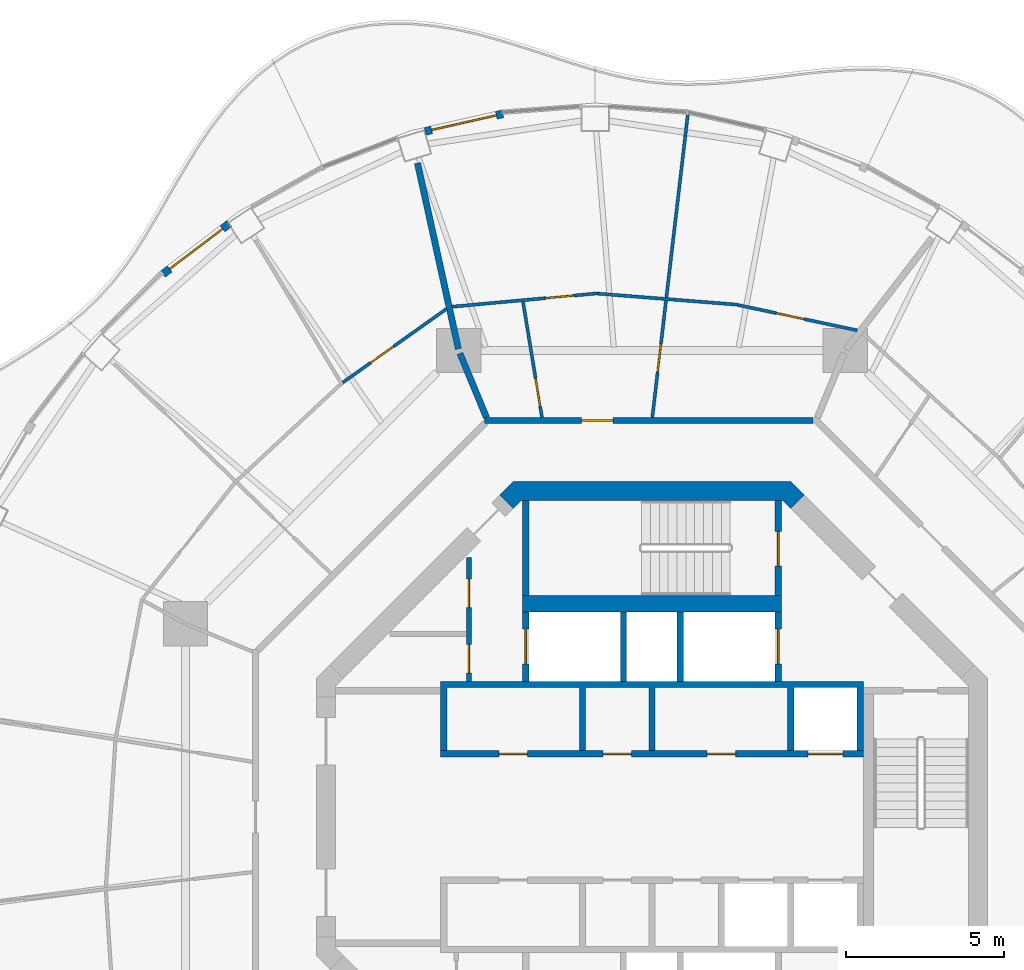
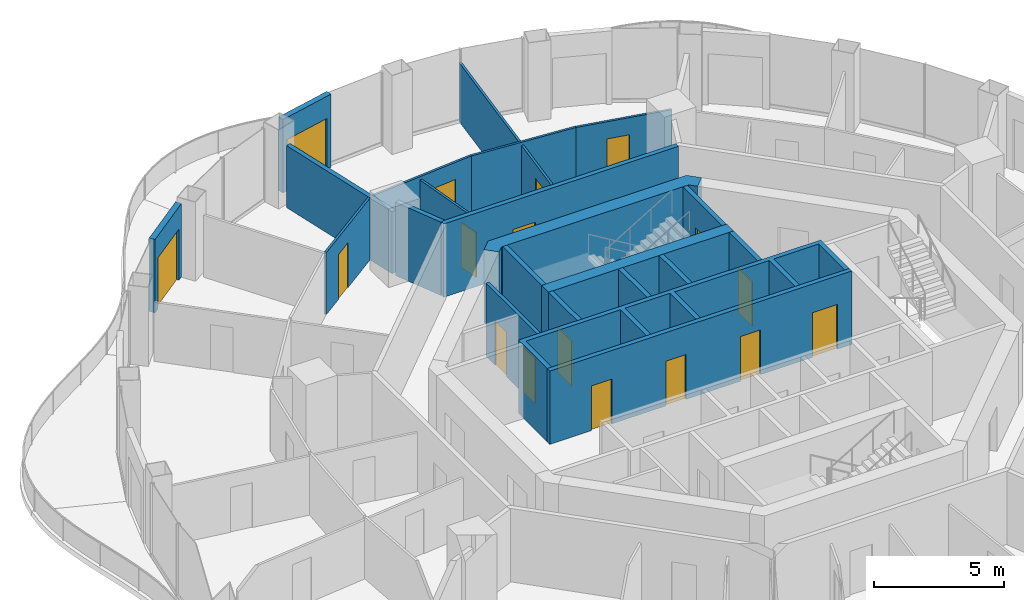
# One storey, part 13 of 18: 22 walls, 17 doors, 17 openings.
"""IFC4 building model written with IfcOpenShell, lengths in metres."""

from ifc_helpers import new_model, si_unit, direction, frame, frame_2d, origin, place, context, subcontext, project, spatial, polyline, rectangle, outline, extrude, material, layer, layer_set, type_object, element, fill, save


model = new_model("IFC4")

# Units and contexts
model_context = context("Model", 3, precision=1e-05, world=origin(), true_north=direction((0.0, 1.0)))
body_context = subcontext(model_context, "Body", "Model", "MODEL_VIEW")
ifc_project = project(units=[si_unit("LENGTHUNIT", "METRE"), si_unit("AREAUNIT", "SQUARE_METRE"), si_unit("VOLUMEUNIT", "CUBIC_METRE"), si_unit("PLANEANGLEUNIT", "RADIAN"), si_unit("MASSUNIT", "GRAM", prefix="KILO")], contexts=[model_context])

# Site, building, storey
site_placement = place(None, origin())
site = spatial("IfcSite", under=ifc_project, at=site_placement, CompositionType="ELEMENT")
building_placement = place(site_placement, origin())
building = spatial("IfcBuilding", under=site, at=building_placement, Name="Nagisa Residences", CompositionType="ELEMENT")
storey_placement = place(building_placement, frame((0.0, 0.0, 284.39990234375)))
storey = spatial("IfcBuildingStorey", under=building, at=storey_placement, Name="L72", CompositionType="ELEMENT", Elevation=284.39990234375)

# Walls
ifc_material_1 = material(Name="Gypsum board on steel studs", Category="steel")
ifc_layer_1 = layer(ifc_material_1, 0.199951171875)
ifc_layer_set_1 = layer_set([ifc_layer_1], Name="Apartment compartment wall EI60 200")
wall_type_1 = type_object("IfcWallType", Name="Apartment compartment wall EI60 200", PredefinedType="PARTITIONING", material=ifc_layer_set_1)
wall_1_placement = place(storey_placement, frame((-5.24267578125, 12.6572265625, 0.0), z_axis=(0.0, 0.0, 1.0), x_axis=(-0.38273085373, 0.923859888513, 0.0)))
element("IfcWall", 1, at=wall_1_placement, inside=storey, type_object=wall_type_1, Name="wall:L72:u04", PredefinedType="PARTITIONING", context=body_context, shape_type="SweptSolid", body=[
    extrude(rectangle(XDim=2.199462890625, YDim=0.199951171875, at=frame_2d((1.099609375, 0.0))), origin(), (0.0, 0.0, 1.0), 3.440185546875),
])
wall_2_placement = place(storey_placement, frame((-6.133544921875, 14.830810546875, 0.0), z_axis=(0.0, 0.0, 1.0), x_axis=(-0.214842475666, 0.976648714047, 0.0)))
element("IfcWall", 2, at=wall_2_placement, inside=storey, type_object=wall_type_1, Name="wall:L72:u05", PredefinedType="PARTITIONING", context=body_context, shape_type="SweptSolid", body=[
    extrude(rectangle(XDim=6.03076171875, YDim=0.199951171875, at=frame_2d((3.015380859375, 0.0))), origin(), (0.0, 0.0, 1.0), 2.905029296875),
])

# Wall, opening, door
ifc_material_2 = material(Name="Gypsum board on steel studs", Category="steel")
ifc_layer_2 = layer(ifc_material_2, 0.199951171875)
ifc_layer_set_2 = layer_set([ifc_layer_2], Name="Apartment entry wall EI60 200")
wall_type_2 = type_object("IfcWallType", Name="Apartment entry wall EI60 200", PredefinedType="PARTITIONING", material=ifc_layer_set_2)
wall_3_placement = place(storey_placement, frame((5.1044921875, 12.564697265625, 0.0), z_axis=(0.0, 0.0, 1.0), x_axis=(-1.0, 0.0, 0.0)))
wall_3 = element("IfcWall", 3, at=wall_3_placement, inside=storey, type_object=wall_type_2, Name="wall:L72:u16", PredefinedType="PARTITIONING", context=body_context, shape_type="SweptSolid", body=[
    extrude(rectangle(XDim=10.408935546875, YDim=0.199951171875, at=frame_2d((5.20458984375, 0.0))), origin(), (0.0, 0.0, 1.0), 3.440185546875),
])
opening_1_placement = place(wall_3_placement, frame((6.33935546875, 0.0, 0.0)))
opening_1 = element("IfcOpeningElement", 4, at=opening_1_placement, cuts=wall_3, Name="Opening L72-U30", PredefinedType="OPENING", context=body_context, shape_type="SweptSolid", body=[
    extrude(rectangle(XDim=1.0, YDim=2.10009765625, at=frame_2d((0.5, 1.050048828125))), frame((0.0, 0.10986328125, 0.0), z_axis=(0.0, -1.0, 0.0), x_axis=(1.0, 0.0, 0.0)), (0.0, 0.0, 1.0), 0.219970703125),
])
ifc_material_3 = material(Name="Timber fire door set", Category="wood")
door_type_1 = type_object("IfcDoorType", Name="Apartment entry door FD30S 1000x2100", OperationType="NOTDEFINED", PredefinedType="DOOR", material=ifc_material_3)
door_1_placement = place(opening_1_placement, frame((1.0, 0.0, 0.0), x_axis=(-1.0, 0.0, 0.0)))
door_1 = element("IfcDoor", 5, at=door_1_placement, inside=storey, type_object=door_type_1, Name="Entry door, Apartment 72F", OperationType="SINGLE_SWING_LEFT", OverallHeight=2.10009765625, OverallWidth=1.0, PredefinedType="DOOR", context=body_context, shape_type="SweptSolid", body=[
    extrude(rectangle(XDim=1.0, YDim=2.10009765625, at=frame_2d((0.5, 1.050048828125))), frame((0.0, 0.02490234375, 0.0), z_axis=(0.0, -1.0, 0.0), x_axis=(1.0, 0.0, 0.0)), (0.0, 0.0, 1.0), 0.050048828125),
])
fill(opening_1, door_1)

ifc_material_4 = material(Name="Gypsum board on steel studs", Category="steel")
ifc_layer_3 = layer(ifc_material_4, 0.10009765625)
ifc_layer_set_3 = layer_set([ifc_layer_3], Name="Apartment partition 100")
wall_type_3 = type_object("IfcWallType", Name="Apartment partition 100", PredefinedType="PARTITIONING", material=ifc_layer_set_3)
wall_4_placement = place(storey_placement, frame((6.50048828125, 15.41943359375, 0.0), z_axis=(0.0, 0.0, 1.0), x_axis=(-0.978053492557, 0.208353943321, 0.0)))
wall_4 = element("IfcWall", 6, at=wall_4_placement, inside=storey, type_object=wall_type_3, Name="wall:L72:u33", PredefinedType="PARTITIONING", context=body_context, shape_type="SweptSolid", body=[
    extrude(rectangle(XDim=3.873779296875, YDim=0.10009765625, at=frame_2d((1.93701171875, 0.0))), origin(), (0.0, 0.0, 1.0), 2.905029296875),
])
opening_2_placement = place(wall_4_placement, frame((1.71435546875, 0.0, 0.0)))
opening_2 = element("IfcOpeningElement", 7, at=opening_2_placement, cuts=wall_4, Name="Opening L72-U33", PredefinedType="OPENING", context=body_context, shape_type="SweptSolid", body=[
    extrude(rectangle(XDim=0.89990234375, YDim=2.10009765625, at=frame_2d((0.449951171875, 1.050048828125))), frame((0.0, 0.06005859375, 0.0), z_axis=(0.0, -1.0, 0.0), x_axis=(1.0, 0.0, 0.0)), (0.0, 0.0, 1.0), 0.1201171875),
])
ifc_material_5 = material(Name="Timber door set", Category="wood")
door_type_2 = type_object("IfcDoorType", Name="Apartment door 900x2100", OperationType="NOTDEFINED", PredefinedType="DOOR", material=ifc_material_5)
door_2_placement = place(opening_2_placement, frame((0.89990234375, 0.0, 0.0), x_axis=(-1.0, 0.0, 0.0)))
door_2 = element("IfcDoor", 8, at=door_2_placement, inside=storey, type_object=door_type_2, Name="Door to kitchen, Apartment 72F", OperationType="SINGLE_SWING_RIGHT", OverallHeight=2.10009765625, OverallWidth=0.89990234375, PredefinedType="DOOR", context=body_context, shape_type="SweptSolid", body=[
    extrude(rectangle(XDim=0.89990234375, YDim=2.10009765625, at=frame_2d((0.449951171875, 1.050048828125))), frame((0.0, 0.02490234375, 0.0), z_axis=(0.0, -1.0, 0.0), x_axis=(1.0, 0.0, 0.0)), (0.0, 0.0, 1.0), 0.050048828125),
])
fill(opening_2, door_2)

# Wall
wall_5_placement = place(storey_placement, frame((2.712646484375, 16.23291015625, 0.0), z_axis=(0.0, 0.0, 1.0), x_axis=(-0.996870142942, 0.079056423588, 0.0)))
element("IfcWall", 9, at=wall_5_placement, inside=storey, type_object=wall_type_3, Name="wall:L72:u34", PredefinedType="PARTITIONING", context=body_context, shape_type="SweptSolid", body=[
    extrude(rectangle(XDim=4.437744140625, YDim=0.10009765625, at=frame_2d((2.21875, 0.0))), origin(), (0.0, 0.0, 1.0), 2.905029296875),
])

# Wall, opening, door
wall_6_placement = place(storey_placement, frame((0.01171875, 12.6640625, 0.0), z_axis=(0.0, 0.0, 1.0), x_axis=(0.11636251357, 0.993206808996, 0.0)))
wall_6 = element("IfcWall", 10, at=wall_6_placement, inside=storey, type_object=wall_type_3, Name="wall:L72:u35", PredefinedType="PARTITIONING", context=body_context, shape_type="SweptSolid", body=[
    extrude(rectangle(XDim=9.7646484375, YDim=0.10009765625, at=frame_2d((4.88232421875, 0.0))), origin(), (0.0, 0.0, 1.0), 2.76220703125),
])
opening_3_placement = place(wall_6_placement, frame((1.43701171875, 0.0, 0.0)))
opening_3 = element("IfcOpeningElement", 11, at=opening_3_placement, cuts=wall_6, Name="Opening L72-U31", PredefinedType="OPENING", context=body_context, shape_type="SweptSolid", body=[
    extrude(rectangle(XDim=0.89990234375, YDim=2.10009765625, at=frame_2d((0.449951171875, 1.050048828125))), frame((0.0, 0.06005859375, 0.0), z_axis=(0.0, -1.0, 0.0), x_axis=(1.0, 0.0, 0.0)), (0.0, 0.0, 1.0), 0.1201171875),
])
door_3_placement = place(opening_3_placement, frame((0.89990234375, 0.0, 0.0), x_axis=(-1.0, 0.0, 0.0)))
door_3 = element("IfcDoor", 12, at=door_3_placement, inside=storey, type_object=door_type_2, Name="Door to store, Apartment 72F", OperationType="SINGLE_SWING_RIGHT", OverallHeight=2.10009765625, OverallWidth=0.89990234375, PredefinedType="DOOR", context=body_context, shape_type="SweptSolid", body=[
    extrude(rectangle(XDim=0.89990234375, YDim=2.10009765625, at=frame_2d((0.449951171875, 1.050048828125))), frame((0.0, 0.02490234375, 0.0), z_axis=(0.0, -1.0, 0.0), x_axis=(1.0, 0.0, 0.0)), (0.0, 0.0, 1.0), 0.050048828125),
])
fill(opening_3, door_3)

wall_7_placement = place(storey_placement, frame((-1.711181640625, 16.59228515625, 0.0), z_axis=(0.0, 0.0, 1.0), x_axis=(-0.995843837247, -0.091077175065, 0.0)))
wall_7 = element("IfcWall", 13, at=wall_7_placement, inside=storey, type_object=wall_type_3, Name="wall:L72:u36", PredefinedType="PARTITIONING", context=body_context, shape_type="SweptSolid", body=[
    extrude(rectangle(XDim=4.634765625, YDim=0.10009765625, at=frame_2d((2.3173828125, 0.0))), origin(), (0.0, 0.0, 1.0), 2.905029296875),
])
opening_4_placement = place(wall_7_placement, frame((0.771240234375, 0.0, 0.0)))
opening_4 = element("IfcOpeningElement", 14, at=opening_4_placement, cuts=wall_7, Name="Opening L72-U34", PredefinedType="OPENING", context=body_context, shape_type="SweptSolid", body=[
    extrude(rectangle(XDim=0.89990234375, YDim=2.10009765625, at=frame_2d((0.449951171875, 1.050048828125))), frame((0.0, 0.06005859375, 0.0), z_axis=(0.0, -1.0, 0.0), x_axis=(1.0, 0.0, 0.0)), (0.0, 0.0, 1.0), 0.1201171875),
])
door_4_placement = place(opening_4_placement, frame((0.89990234375, 0.0, 0.0), x_axis=(-1.0, 0.0, 0.0)))
door_4 = element("IfcDoor", 15, at=door_4_placement, inside=storey, type_object=door_type_2, Name="Door to master bedroom, Apartment 72F", OperationType="SINGLE_SWING_LEFT", OverallHeight=2.10009765625, OverallWidth=0.89990234375, PredefinedType="DOOR", context=body_context, shape_type="SweptSolid", body=[
    extrude(rectangle(XDim=0.89990234375, YDim=2.10009765625, at=frame_2d((0.449951171875, 1.050048828125))), frame((0.0, 0.02490234375, 0.0), z_axis=(0.0, -1.0, 0.0), x_axis=(1.0, 0.0, 0.0)), (0.0, 0.0, 1.0), 0.050048828125),
])
fill(opening_4, door_4)

wall_8_placement = place(storey_placement, frame((-3.48583984375, 12.663330078125, 0.0), z_axis=(0.0, 0.0, 1.0), x_axis=(-0.161602751674, 0.986855891532, 0.0)))
wall_8 = element("IfcWall", 16, at=wall_8_placement, inside=storey, type_object=wall_type_3, Name="wall:L72:u37", PredefinedType="PARTITIONING", context=body_context, shape_type="SweptSolid", body=[
    extrude(rectangle(XDim=3.71044921875, YDim=0.10009765625, at=frame_2d((1.855224609375, 0.0))), origin(), (0.0, 0.0, 1.0), 2.76220703125),
])
opening_5_placement = place(wall_8_placement, frame((0.35009765625, 0.0, 0.0)))
opening_5 = element("IfcOpeningElement", 17, at=opening_5_placement, cuts=wall_8, Name="Opening L72-U32", PredefinedType="OPENING", context=body_context, shape_type="SweptSolid", body=[
    extrude(rectangle(XDim=0.89990234375, YDim=2.10009765625, at=frame_2d((0.449951171875, 1.050048828125))), frame((0.0, 0.06005859375, 0.0), z_axis=(0.0, -1.0, 0.0), x_axis=(1.0, 0.0, 0.0)), (0.0, 0.0, 1.0), 0.1201171875),
])
door_5_placement = place(opening_5_placement, origin())
door_5 = element("IfcDoor", 18, at=door_5_placement, inside=storey, type_object=door_type_2, Name="Door to family bathroom, Apartment 72F", OperationType="SINGLE_SWING_RIGHT", OverallHeight=2.10009765625, OverallWidth=0.89990234375, PredefinedType="DOOR", context=body_context, shape_type="SweptSolid", body=[
    extrude(rectangle(XDim=0.89990234375, YDim=2.10009765625, at=frame_2d((0.449951171875, 1.050048828125))), frame((0.0, 0.02490234375, 0.0), z_axis=(0.0, -1.0, 0.0), x_axis=(1.0, 0.0, 0.0)), (0.0, 0.0, 1.0), 0.050048828125),
])
fill(opening_5, door_5)

wall_9_placement = place(storey_placement, frame((-6.5078125, 16.10302734375, 0.0), z_axis=(0.0, 0.0, 1.0), x_axis=(-0.815202203556, -0.579176456114, 0.0)))
wall_9 = element("IfcWall", 19, at=wall_9_placement, inside=storey, type_object=wall_type_3, Name="wall:L72:u38", PredefinedType="PARTITIONING", context=body_context, shape_type="SweptSolid", body=[
    extrude(rectangle(XDim=4.0361328125, YDim=0.10009765625, at=frame_2d((2.01806640625, 0.0))), origin(), (0.0, 0.0, 1.0), 2.905029296875),
])
opening_6_placement = place(wall_9_placement, frame((2.055419921875, 0.0, 0.0)))
opening_6 = element("IfcOpeningElement", 20, at=opening_6_placement, cuts=wall_9, Name="Opening L72-U44", PredefinedType="OPENING", context=body_context, shape_type="SweptSolid", body=[
    extrude(rectangle(XDim=0.89990234375, YDim=2.10009765625, at=frame_2d((0.449951171875, 1.050048828125))), frame((0.0, 0.06005859375, 0.0), z_axis=(0.0, -1.0, 0.0), x_axis=(1.0, 0.0, 0.0)), (0.0, 0.0, 1.0), 0.1201171875),
])
door_6_placement = place(opening_6_placement, frame((0.89990234375, 0.0, 0.0), x_axis=(-1.0, 0.0, 0.0)))
door_6 = element("IfcDoor", 21, at=door_6_placement, inside=storey, type_object=door_type_2, Name="Door to kitchen, Apartment 72G", OperationType="SINGLE_SWING_LEFT", OverallHeight=2.10009765625, OverallWidth=0.89990234375, PredefinedType="DOOR", context=body_context, shape_type="SweptSolid", body=[
    extrude(rectangle(XDim=0.89990234375, YDim=2.10009765625, at=frame_2d((0.449951171875, 1.050048828125))), frame((0.0, 0.02490234375, 0.0), z_axis=(0.0, -1.0, 0.0), x_axis=(1.0, 0.0, 0.0)), (0.0, 0.0, 1.0), 0.050048828125),
])
fill(opening_6, door_6)

ifc_material_6 = material(Name="Precast concrete C40/50", Category="concrete")
ifc_layer_4 = layer(ifc_material_6, 0.25)
ifc_layer_set_4 = layer_set([ifc_layer_4], Name="BALCONY DOOR WALL 250")
wall_type_4 = type_object("IfcWallType", Name="BALCONY DOOR WALL 250", PredefinedType="SOLIDWALL", material=ifc_layer_set_4)
wall_10_placement = place(storey_placement, frame((-7.18798828125, 21.72265625, 0.0), z_axis=(0.0, 0.0, 1.0), x_axis=(0.975319584032, 0.220797891756, 0.0)))
wall_10 = element("IfcWall", 22, at=wall_10_placement, inside=storey, type_object=wall_type_4, Name="wall:L72:bay13", PredefinedType="SOLIDWALL", context=body_context, shape_type="SweptSolid", body=[
    extrude(rectangle(XDim=2.525390625, YDim=0.25, at=frame_2d((1.2626953125, 0.0))), origin(), (0.0, 0.0, 1.0), 3.440185546875),
])
opening_7_placement = place(wall_10_placement, frame((0.212646484375, 0.0, 0.0)))
opening_7 = element("IfcOpeningElement", 23, at=opening_7_placement, cuts=wall_10, Name="Opening BD-L72-05", PredefinedType="OPENING", context=body_context, shape_type="SweptSolid", body=[
    extrude(rectangle(XDim=2.10009765625, YDim=2.39990234375, at=frame_2d((1.050048828125, 1.199951171875))), frame((0.0, 0.135009765625, 0.0), z_axis=(0.0, -1.0, 0.0), x_axis=(1.0, 0.0, 0.0)), (0.0, 0.0, 1.0), 0.27001953125),
])
ifc_material_7 = material(Name="Aluminium and clear glass", Category="aluminium")
door_type_3 = type_object("IfcDoorType", Name="BALCONY SLIDING DOOR 2100x2400", OperationType="SLIDING_TO_LEFT", PredefinedType="DOOR", material=ifc_material_7)
door_7_placement = place(opening_7_placement, origin())
door_7 = element("IfcDoor", 24, at=door_7_placement, inside=storey, type_object=door_type_3, Name="door:L72:bay13", OperationType="SLIDING_TO_LEFT", OverallHeight=2.39990234375, OverallWidth=2.10009765625, PredefinedType="DOOR", context=body_context, shape_type="SweptSolid", body=[
    extrude(rectangle(XDim=2.10009765625, YDim=2.39990234375, at=frame_2d((1.050048828125, 1.199951171875))), frame((0.0, 0.02490234375, 0.0), z_axis=(0.0, -1.0, 0.0), x_axis=(1.0, 0.0, 0.0)), (0.0, 0.0, 1.0), 0.050048828125),
])
fill(opening_7, door_7)

wall_11_placement = place(storey_placement, frame((-15.49462890625, 17.20361328125, 0.0), z_axis=(0.0, 0.0, 1.0), x_axis=(0.796010739377, 0.605282498339, 0.0)))
wall_11 = element("IfcWall", 25, at=wall_11_placement, inside=storey, type_object=wall_type_4, Name="wall:L72:bay16", PredefinedType="SOLIDWALL", context=body_context, shape_type="SweptSolid", body=[
    extrude(rectangle(XDim=2.640625, YDim=0.25, at=frame_2d((1.3203125, 0.0))), origin(), (0.0, 0.0, 1.0), 3.440185546875),
])
opening_8_placement = place(wall_11_placement, frame((0.270263671875, 0.0, 0.0)))
opening_8 = element("IfcOpeningElement", 26, at=opening_8_placement, cuts=wall_11, Name="Opening BD-L72-06", PredefinedType="OPENING", context=body_context, shape_type="SweptSolid", body=[
    extrude(rectangle(XDim=2.10009765625, YDim=2.39990234375, at=frame_2d((1.050048828125, 1.199951171875))), frame((0.0, 0.135009765625, 0.0), z_axis=(0.0, -1.0, 0.0), x_axis=(1.0, 0.0, 0.0)), (0.0, 0.0, 1.0), 0.27001953125),
])
door_8_placement = place(opening_8_placement, origin())
door_8 = element("IfcDoor", 27, at=door_8_placement, inside=storey, type_object=door_type_3, Name="door:L72:bay16", OperationType="SLIDING_TO_LEFT", OverallHeight=2.39990234375, OverallWidth=2.10009765625, PredefinedType="DOOR", context=body_context, shape_type="SweptSolid", body=[
    extrude(rectangle(XDim=2.10009765625, YDim=2.39990234375, at=frame_2d((1.050048828125, 1.199951171875))), frame((0.0, 0.02490234375, 0.0), z_axis=(0.0, -1.0, 0.0), x_axis=(1.0, 0.0, 0.0)), (0.0, 0.0, 1.0), 0.050048828125),
])
fill(opening_8, door_8)

# Wall, openings, doors
ifc_material_8 = material(Name="Gypsum board on steel studs", Category="steel")
ifc_layer_5 = layer(ifc_material_8, 0.14990234375)
ifc_layer_set_5 = layer_set([ifc_layer_5], Name="Core partition 150")
wall_type_5 = type_object("IfcWallType", Name="Core partition 150", PredefinedType="PARTITIONING", material=ifc_layer_set_5)
wall_12_placement = place(storey_placement, frame((-5.800048828125, 4.300048828125, 0.0), z_axis=(0.0, 0.0, 1.0), x_axis=(0.0, 1.0, 0.0)))
wall_12 = element("IfcWall", 28, at=wall_12_placement, inside=storey, type_object=wall_type_5, Name="wall:L72:NWp", PredefinedType="PARTITIONING", context=body_context, shape_type="SweptSolid", body=[
    extrude(rectangle(XDim=3.927001953125, YDim=0.14990234375, at=frame_2d((1.96337890625, 0.0))), origin(), (0.0, 0.0, 1.0), 3.440185546875),
])
opening_9_placement = place(wall_12_placement, frame((0.262451171875, 0.0, 0.0)))
opening_9 = element("IfcOpeningElement", 29, at=opening_9_placement, cuts=wall_12, Name="Opening L72-C10", PredefinedType="OPENING", context=body_context, shape_type="SweptSolid", body=[
    extrude(rectangle(XDim=0.89990234375, YDim=2.10009765625, at=frame_2d((0.449951171875, 1.050048828125))), frame((0.0, 0.0849609375, 0.0), z_axis=(0.0, -1.0, 0.0), x_axis=(1.0, 0.0, 0.0)), (0.0, 0.0, 1.0), 0.169921875),
])
opening_10_placement = place(wall_12_placement, frame((2.33837890625, 0.0, 0.0)))
opening_10 = element("IfcOpeningElement", 30, at=opening_10_placement, cuts=wall_12, Name="Opening L72-C11", PredefinedType="OPENING", context=body_context, shape_type="SweptSolid", body=[
    extrude(rectangle(XDim=0.89990234375, YDim=2.10009765625, at=frame_2d((0.449951171875, 1.050048828125))), frame((0.0, 0.0849609375, 0.0), z_axis=(0.0, -1.0, 0.0), x_axis=(1.0, 0.0, 0.0)), (0.0, 0.0, 1.0), 0.169921875),
])
ifc_material_9 = material(Name="Steel fire door", Category="steel")
door_type_4 = type_object("IfcDoorType", Name="Fire door EI30 900x2100 single swing", OperationType="NOTDEFINED", PredefinedType="DOOR", material=ifc_material_9)
door_9_placement = place(opening_9_placement, origin())
door_9 = element("IfcDoor", 31, at=door_9_placement, inside=storey, type_object=door_type_4, Name="Package room door L72", OperationType="SINGLE_SWING_LEFT", OverallHeight=2.10009765625, OverallWidth=0.89990234375, PredefinedType="DOOR", context=body_context, shape_type="SweptSolid", body=[
    extrude(rectangle(XDim=0.89990234375, YDim=2.10009765625, at=frame_2d((0.449951171875, 1.050048828125))), frame((0.0, 0.02490234375, 0.0), z_axis=(0.0, -1.0, 0.0), x_axis=(1.0, 0.0, 0.0)), (0.0, 0.0, 1.0), 0.050048828125),
])
fill(opening_9, door_9)
door_10_placement = place(opening_10_placement, origin())
door_10 = element("IfcDoor", 32, at=door_10_placement, inside=storey, type_object=door_type_4, Name="Valet store door L72", OperationType="SINGLE_SWING_LEFT", OverallHeight=2.10009765625, OverallWidth=0.89990234375, PredefinedType="DOOR", context=body_context, shape_type="SweptSolid", body=[
    extrude(rectangle(XDim=0.89990234375, YDim=2.10009765625, at=frame_2d((0.449951171875, 1.050048828125))), frame((0.0, 0.02490234375, 0.0), z_axis=(0.0, -1.0, 0.0), x_axis=(1.0, 0.0, 0.0)), (0.0, 0.0, 1.0), 0.050048828125),
])
fill(opening_10, door_10)

# Wall
ifc_material_10 = material(Name="Concrete C60", Category="concrete")
ifc_layer_6 = layer(ifc_material_10, 0.60009765625)
ifc_layer_set_6 = layer_set([ifc_layer_6], Name="Core shear wall 600")
wall_type_6 = type_object("IfcWallType", Name="Core shear wall 600", PredefinedType="SHEAR", material=ifc_layer_set_6)
wall_13_placement = place(storey_placement, origin())
element("IfcWall", 33, at=wall_13_placement, inside=storey, type_object=wall_type_6, Name="wall:L72:core:flat2", PredefinedType="SHEAR", context=body_context, shape_type="SweptSolid", body=[
    extrude(outline(polyline([(-4.15234375, 10.024658203125), (-4.40087890625, 9.776123046875), (-4.8251953125, 10.200439453125), (-4.40087890625, 10.62451171875), (4.40087890625, 10.62451171875), (4.8251953125, 10.200439453125), (4.40087890625, 9.776123046875), (4.15234375, 10.024658203125), (-4.15234375, 10.024658203125)])), origin(), (0.0, 0.0, 1.0), 3.440185546875),
])

# Wall, opening, door
ifc_material_11 = material(Name="Concrete C60", Category="concrete")
ifc_layer_7 = layer(ifc_material_11, 0.199951171875)
ifc_layer_set_7 = layer_set([ifc_layer_7], Name="Lift shaft wall 200")
wall_type_7 = type_object("IfcWallType", Name="Lift shaft wall 200", PredefinedType="SOLIDWALL", material=ifc_layer_set_7)
wall_14_placement = place(storey_placement, frame((4.0, 4.300048828125, 0.0), z_axis=(0.0, 0.0, 1.0), x_axis=(0.0, 1.0, 0.0)))
wall_14 = element("IfcWall", 34, at=wall_14_placement, inside=storey, type_object=wall_type_7, Name="wall:L72:Nb3", PredefinedType="SOLIDWALL", context=body_context, shape_type="SweptSolid", body=[
    extrude(rectangle(XDim=2.199951171875, YDim=0.199951171875, at=frame_2d((1.10009765625, 0.0))), origin(), (0.0, 0.0, 1.0), 3.440185546875),
])
opening_11_placement = place(wall_14_placement, frame((0.550048828125, 0.0, 0.0)))
opening_11 = element("IfcOpeningElement", 35, at=opening_11_placement, cuts=wall_14, Name="Opening L72-C04", PredefinedType="OPENING", context=body_context, shape_type="SweptSolid", body=[
    extrude(rectangle(XDim=1.10009765625, YDim=2.10009765625, at=frame_2d((0.550048828125, 1.050048828125))), frame((0.0, 0.10986328125, 0.0), z_axis=(0.0, -1.0, 0.0), x_axis=(1.0, 0.0, 0.0)), (0.0, 0.0, 1.0), 0.219970703125),
])
ifc_material_12 = material(Name="Stainless steel", Category="steel")
door_type_5 = type_object("IfcDoorType", Name="Lift landing door 1100x2100", OperationType="DOUBLE_DOOR_SLIDING", PredefinedType="DOOR", material=ifc_material_12)
door_11_placement = place(opening_11_placement, origin())
door_11 = element("IfcDoor", 36, at=door_11_placement, inside=storey, type_object=door_type_5, Name="Landing door FL1 L72", OperationType="DOUBLE_DOOR_SLIDING", OverallHeight=2.10009765625, OverallWidth=1.10009765625, PredefinedType="DOOR", context=body_context, shape_type="SweptSolid", body=[
    extrude(rectangle(XDim=1.10009765625, YDim=2.10009765625, at=frame_2d((0.550048828125, 1.050048828125))), frame((0.0, 0.02490234375, 0.0), z_axis=(0.0, -1.0, 0.0), x_axis=(1.0, 0.0, 0.0)), (0.0, 0.0, 1.0), 0.050048828125),
])
fill(opening_11, door_11)

wall_15_placement = place(storey_placement, frame((-4.0, 4.300048828125, 0.0), z_axis=(0.0, 0.0, 1.0), x_axis=(0.0, 1.0, 0.0)))
wall_15 = element("IfcWall", 37, at=wall_15_placement, inside=storey, type_object=wall_type_7, Name="wall:L72:Nb4", PredefinedType="SOLIDWALL", context=body_context, shape_type="SweptSolid", body=[
    extrude(rectangle(XDim=2.199951171875, YDim=0.199951171875, at=frame_2d((1.10009765625, 0.0))), origin(), (0.0, 0.0, 1.0), 3.440185546875),
])
opening_12_placement = place(wall_15_placement, frame((0.550048828125, 0.0, 0.0)))
opening_12 = element("IfcOpeningElement", 38, at=opening_12_placement, cuts=wall_15, Name="Opening L72-C06", PredefinedType="OPENING", context=body_context, shape_type="SweptSolid", body=[
    extrude(rectangle(XDim=1.10009765625, YDim=2.10009765625, at=frame_2d((0.550048828125, 1.050048828125))), frame((0.0, 0.10986328125, 0.0), z_axis=(0.0, -1.0, 0.0), x_axis=(1.0, 0.0, 0.0)), (0.0, 0.0, 1.0), 0.219970703125),
])
door_12_placement = place(opening_12_placement, origin())
door_12 = element("IfcDoor", 39, at=door_12_placement, inside=storey, type_object=door_type_5, Name="Landing door SV L72", OperationType="DOUBLE_DOOR_SLIDING", OverallHeight=2.10009765625, OverallWidth=1.10009765625, PredefinedType="DOOR", context=body_context, shape_type="SweptSolid", body=[
    extrude(rectangle(XDim=1.10009765625, YDim=2.10009765625, at=frame_2d((0.550048828125, 1.050048828125))), frame((0.0, 0.02490234375, 0.0), z_axis=(0.0, -1.0, 0.0), x_axis=(1.0, 0.0, 0.0)), (0.0, 0.0, 1.0), 0.050048828125),
])
fill(opening_12, door_12)

# Wall, openings, doors
wall_16_placement = place(storey_placement, frame((-6.699951171875, 2.0, 0.0), z_axis=(0.0, 0.0, 1.0), x_axis=(1.0, 0.0, 0.0)))
wall_16 = element("IfcWall", 40, at=wall_16_placement, inside=storey, type_object=wall_type_7, Name="wall:L72:Nfront", PredefinedType="SOLIDWALL", context=body_context, shape_type="SweptSolid", body=[
    extrude(rectangle(XDim=13.39990234375, YDim=0.199951171875, at=frame_2d((6.699951171875, 0.0))), origin(), (0.0, 0.0, 1.0), 3.440185546875),
])
opening_13_placement = place(wall_16_placement, frame((11.64990234375, 0.0, 0.0)))
opening_13 = element("IfcOpeningElement", 41, at=opening_13_placement, cuts=wall_16, Name="Opening L72-C01", PredefinedType="OPENING", context=body_context, shape_type="SweptSolid", body=[
    extrude(rectangle(XDim=1.10009765625, YDim=2.10009765625, at=frame_2d((0.550048828125, 1.050048828125))), frame((0.0, 0.10986328125, 0.0), z_axis=(0.0, -1.0, 0.0), x_axis=(1.0, 0.0, 0.0)), (0.0, 0.0, 1.0), 0.219970703125),
])
opening_14_placement = place(wall_16_placement, frame((1.85009765625, 0.0, 0.0)))
opening_14 = element("IfcOpeningElement", 42, at=opening_14_placement, cuts=wall_16, Name="Opening L72-C15", PredefinedType="OPENING", context=body_context, shape_type="SweptSolid", body=[
    extrude(rectangle(XDim=0.89990234375, YDim=2.10009765625, at=frame_2d((0.449951171875, 1.050048828125))), frame((0.0, 0.10986328125, 0.0), z_axis=(0.0, -1.0, 0.0), x_axis=(1.0, 0.0, 0.0)), (0.0, 0.0, 1.0), 0.219970703125),
])
opening_15_placement = place(wall_16_placement, frame((5.14990234375, 0.0, 0.0)))
opening_15 = element("IfcOpeningElement", 43, at=opening_15_placement, cuts=wall_16, Name="Opening L72-C16", PredefinedType="OPENING", context=body_context, shape_type="SweptSolid", body=[
    extrude(rectangle(XDim=0.89990234375, YDim=2.10009765625, at=frame_2d((0.449951171875, 1.050048828125))), frame((0.0, 0.10986328125, 0.0), z_axis=(0.0, -1.0, 0.0), x_axis=(1.0, 0.0, 0.0)), (0.0, 0.0, 1.0), 0.219970703125),
])
opening_16_placement = place(wall_16_placement, frame((8.449951171875, 0.0, 0.0)))
opening_16 = element("IfcOpeningElement", 44, at=opening_16_placement, cuts=wall_16, Name="Opening L72-C17", PredefinedType="OPENING", context=body_context, shape_type="SweptSolid", body=[
    extrude(rectangle(XDim=0.89990234375, YDim=2.10009765625, at=frame_2d((0.449951171875, 1.050048828125))), frame((0.0, 0.10986328125, 0.0), z_axis=(0.0, -1.0, 0.0), x_axis=(1.0, 0.0, 0.0)), (0.0, 0.0, 1.0), 0.219970703125),
])
door_13_placement = place(opening_14_placement, origin())
door_13 = element("IfcDoor", 45, at=door_13_placement, inside=storey, type_object=door_type_4, Name="Linen store door L72", OperationType="SINGLE_SWING_RIGHT", OverallHeight=2.10009765625, OverallWidth=0.89990234375, PredefinedType="DOOR", context=body_context, shape_type="SweptSolid", body=[
    extrude(rectangle(XDim=0.89990234375, YDim=2.10009765625, at=frame_2d((0.449951171875, 1.050048828125))), frame((0.0, 0.02490234375, 0.0), z_axis=(0.0, -1.0, 0.0), x_axis=(1.0, 0.0, 0.0)), (0.0, 0.0, 1.0), 0.050048828125),
])
fill(opening_14, door_13)
door_14_placement = place(opening_15_placement, origin())
door_14 = element("IfcDoor", 46, at=door_14_placement, inside=storey, type_object=door_type_4, Name="Tea preparation door L72", OperationType="SINGLE_SWING_RIGHT", OverallHeight=2.10009765625, OverallWidth=0.89990234375, PredefinedType="DOOR", context=body_context, shape_type="SweptSolid", body=[
    extrude(rectangle(XDim=0.89990234375, YDim=2.10009765625, at=frame_2d((0.449951171875, 1.050048828125))), frame((0.0, 0.02490234375, 0.0), z_axis=(0.0, -1.0, 0.0), x_axis=(1.0, 0.0, 0.0)), (0.0, 0.0, 1.0), 0.050048828125),
])
fill(opening_15, door_14)
door_15_placement = place(opening_16_placement, origin())
door_15 = element("IfcDoor", 47, at=door_15_placement, inside=storey, type_object=door_type_4, Name="Housekeeping store door L72", OperationType="SINGLE_SWING_RIGHT", OverallHeight=2.10009765625, OverallWidth=0.89990234375, PredefinedType="DOOR", context=body_context, shape_type="SweptSolid", body=[
    extrude(rectangle(XDim=0.89990234375, YDim=2.10009765625, at=frame_2d((0.449951171875, 1.050048828125))), frame((0.0, 0.02490234375, 0.0), z_axis=(0.0, -1.0, 0.0), x_axis=(1.0, 0.0, 0.0)), (0.0, 0.0, 1.0), 0.050048828125),
])
fill(opening_16, door_15)
door_16_placement = place(opening_13_placement, origin())
door_16 = element("IfcDoor", 48, at=door_16_placement, inside=storey, type_object=door_type_5, Name="Landing door C1 L72", OperationType="DOUBLE_DOOR_SLIDING", OverallHeight=2.10009765625, OverallWidth=1.10009765625, PredefinedType="DOOR", context=body_context, shape_type="SweptSolid", body=[
    extrude(rectangle(XDim=1.10009765625, YDim=2.10009765625, at=frame_2d((0.550048828125, 1.050048828125))), frame((0.0, 0.02490234375, 0.0), z_axis=(0.0, -1.0, 0.0), x_axis=(1.0, 0.0, 0.0)), (0.0, 0.0, 1.0), 0.050048828125),
])
fill(opening_13, door_16)

# Walls
for number, where, z_axis, x_axis, name in (
    (49, (-0.89990234375, 4.300048828125, 0.0), (0.0, 0.0, 1.0), (0.0, 1.0, 0.0), "wall:L72:Nb1"),
    (50, (0.89990234375, 4.300048828125, 0.0), (0.0, 0.0, 1.0), (0.0, 1.0, 0.0), "wall:L72:Nb2"),
):
    element("IfcWall", number, at=place(storey_placement, frame(where, z_axis=z_axis, x_axis=x_axis)), inside=storey, type_object=wall_type_7, Name=name, PredefinedType="SOLIDWALL", context=body_context, shape_type="SweptSolid", body=[
        extrude(rectangle(XDim=2.199951171875, YDim=0.199951171875, at=frame_2d((1.10009765625, 0.0))), origin(), (0.0, 0.0, 1.0), 3.440185546875),
    ])
wall_17_placement = place(storey_placement, origin())
element("IfcWall", 51, at=wall_17_placement, inside=storey, type_object=wall_type_7, Name="wall:L72:Nback", PredefinedType="SOLIDWALL", context=body_context, shape_type="SweptSolid", body=[
    extrude(outline(polyline([(-6.699951171875, 4.300048828125), (6.699951171875, 4.300048828125), (6.699951171875, 2.10009765625), (6.5, 2.10009765625), (6.5, 4.10009765625), (4.5, 4.10009765625), (4.5, 2.10009765625), (4.300048828125, 2.10009765625), (4.300048828125, 4.10009765625), (0.10009765625, 4.10009765625), (0.10009765625, 2.10009765625), (-0.10009765625, 2.10009765625), (-0.10009765625, 4.10009765625), (-2.10009765625, 4.10009765625), (-2.10009765625, 2.10009765625), (-2.300048828125, 2.10009765625), (-2.300048828125, 4.10009765625), (-6.5, 4.10009765625), (-6.5, 2.10009765625), (-6.699951171875, 2.10009765625), (-6.699951171875, 4.300048828125)])), origin(), (0.0, 0.0, 1.0), 3.440185546875),
])

# Wall, opening, door
ifc_material_13 = material(Name="Concrete C60", Category="concrete")
ifc_layer_8 = layer(ifc_material_13, 0.199951171875)
ifc_layer_set_8 = layer_set([ifc_layer_8], Name="Stair enclosure wall 200")
wall_type_8 = type_object("IfcWallType", Name="Stair enclosure wall 200", PredefinedType="SOLIDWALL", material=ifc_layer_set_8)
wall_18_placement = place(storey_placement, frame((4.0, 7.024658203125, 0.0), z_axis=(0.0, 0.0, 1.0), x_axis=(0.0, 1.0, 0.0)))
wall_18 = element("IfcWall", 52, at=wall_18_placement, inside=storey, type_object=wall_type_8, Name="wall:L72:SN_e", PredefinedType="SOLIDWALL", context=body_context, shape_type="SweptSolid", body=[
    extrude(rectangle(XDim=3.0, YDim=0.199951171875, at=frame_2d((1.5, 0.0))), origin(), (0.0, 0.0, 1.0), 3.440185546875),
])
opening_17_placement = place(wall_18_placement, frame((0.92529296875, 0.0, 0.0)))
opening_17 = element("IfcOpeningElement", 53, at=opening_17_placement, cuts=wall_18, Name="Opening L72-C08", PredefinedType="OPENING", context=body_context, shape_type="SweptSolid", body=[
    extrude(rectangle(XDim=1.10009765625, YDim=2.10009765625, at=frame_2d((0.550048828125, 1.050048828125))), frame((0.0, 0.10986328125, 0.0), z_axis=(0.0, -1.0, 0.0), x_axis=(1.0, 0.0, 0.0)), (0.0, 0.0, 1.0), 0.219970703125),
])
ifc_material_14 = material(Name="Steel fire door", Category="steel")
door_type_6 = type_object("IfcDoorType", Name="Fire door EI90 1100x2100 single swing", OperationType="NOTDEFINED", PredefinedType="DOOR", material=ifc_material_14)
door_17_placement = place(opening_17_placement, origin())
door_17 = element("IfcDoor", 54, at=door_17_placement, inside=storey, type_object=door_type_6, Name="Stair door ST-N L72", OperationType="SINGLE_SWING_RIGHT", OverallHeight=2.10009765625, OverallWidth=1.10009765625, PredefinedType="DOOR", context=body_context, shape_type="SweptSolid", body=[
    extrude(rectangle(XDim=1.10009765625, YDim=2.10009765625, at=frame_2d((0.550048828125, 1.050048828125))), frame((0.0, 0.02490234375, 0.0), z_axis=(0.0, -1.0, 0.0), x_axis=(1.0, 0.0, 0.0)), (0.0, 0.0, 1.0), 0.050048828125),
])
fill(opening_17, door_17)

# Walls
wall_19_placement = place(storey_placement, origin())
element("IfcWall", 55, at=wall_19_placement, inside=storey, type_object=wall_type_8, Name="wall:L72:SN_w", PredefinedType="SOLIDWALL", context=body_context, shape_type="SweptSolid", body=[
    extrude(outline(polyline([(-3.89990234375, 7.024658203125), (-4.10009765625, 7.024658203125), (-4.10009765625, 10.024658203125), (-3.89990234375, 10.024658203125), (-3.89990234375, 7.024658203125)])), origin(), (0.0, 0.0, 1.0), 3.440185546875),
])
wall_20_placement = place(storey_placement, origin())
element("IfcWall", 56, at=wall_20_placement, inside=storey, type_object=wall_type_8, Name="wall:L72:SN_s", PredefinedType="SOLIDWALL", context=body_context, shape_type="SweptSolid", body=[
    extrude(outline(polyline([(4.10009765625, 6.5), (-4.10009765625, 6.5), (-4.10009765625, 7.024658203125), (4.10009765625, 7.024658203125), (4.10009765625, 6.5)])), origin(), (0.0, 0.0, 1.0), 3.440185546875),
])

save(model, "model.ifc")
